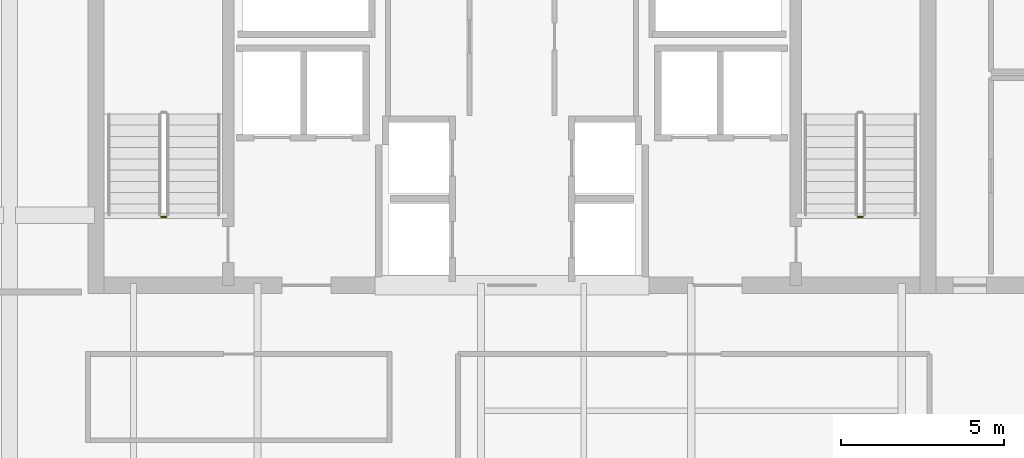
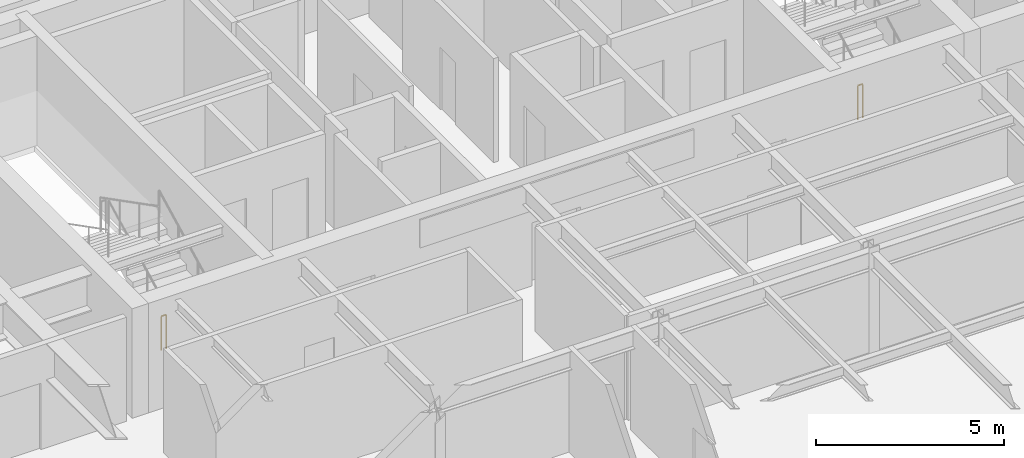
# One storey, part 19 of 21: 2 railings.
"""IFC4 building model written with IfcOpenShell, lengths in metres."""

from ifc_helpers import new_model, si_unit, direction, frame, origin, origin_2d, place, context, subcontext, project, spatial, circle, extrude, material, type_object, element, save


model = new_model("IFC4")

# Units and contexts
model_context = context("Model", 3, precision=1e-05, world=origin(), true_north=direction((0.0, 1.0)))
body_context = subcontext(model_context, "Body", "Model", "MODEL_VIEW")
ifc_project = project(units=[si_unit("LENGTHUNIT", "METRE"), si_unit("AREAUNIT", "SQUARE_METRE"), si_unit("VOLUMEUNIT", "CUBIC_METRE"), si_unit("PLANEANGLEUNIT", "RADIAN"), si_unit("MASSUNIT", "GRAM", prefix="KILO")], contexts=[model_context])

# Site, building, storey
site_placement = place(None, origin())
site = spatial("IfcSite", under=ifc_project, at=site_placement, CompositionType="ELEMENT")
building_placement = place(site_placement, origin())
building = spatial("IfcBuilding", under=site, at=building_placement, Name="Tolvann Quenvar Hotel", CompositionType="ELEMENT")
storey_placement = place(building_placement, frame((0.0, 0.0, 227.449951171875)))
storey = spatial("IfcBuildingStorey", under=building, at=storey_placement, Name="L60", CompositionType="ELEMENT", Elevation=227.449951171875)

# Railings
ifc_material = material(Name="Brushed 316 stainless steel balustrade and handrail", Category="steel")
railing_type = type_object("IfcRailingType", Name="GUARDRAIL", PredefinedType="GUARDRAIL", material=ifc_material)
for number, where, name in (
    (1, (12.39990234375, 33.949951171875, 0.0), "L60 ST-C1 stair guard 4"),
    (2, (33.75, 33.949951171875, 0.0), "L60 ST-C2 stair guard 4"),
):
    element("IfcRailing", number, at=place(storey_placement, frame(where)), inside=storey, type_object=railing_type, Name=name, PredefinedType="GUARDRAIL", context=body_context, shape_type="SweptSolid", body=[
        extrude(circle(Radius=0.02392578125, at=origin_2d()), frame((0.0, 0.0, 1.09619140625), z_axis=(-1.0, 0.0, 0.0), x_axis=(0.0, -1.0, 0.0)), (0.0, 0.0, 1.0), 0.14990234375),
        extrude(circle(Radius=0.02099609375, at=origin_2d()), origin(), (0.0, 0.0, 1.0), 1.072021484375),
        extrude(circle(Radius=0.02099609375, at=origin_2d()), frame((-0.14990234375, 0.0, 0.0)), (0.0, 0.0, 1.0), 1.072021484375),
    ])

save(model, "model.ifc")
